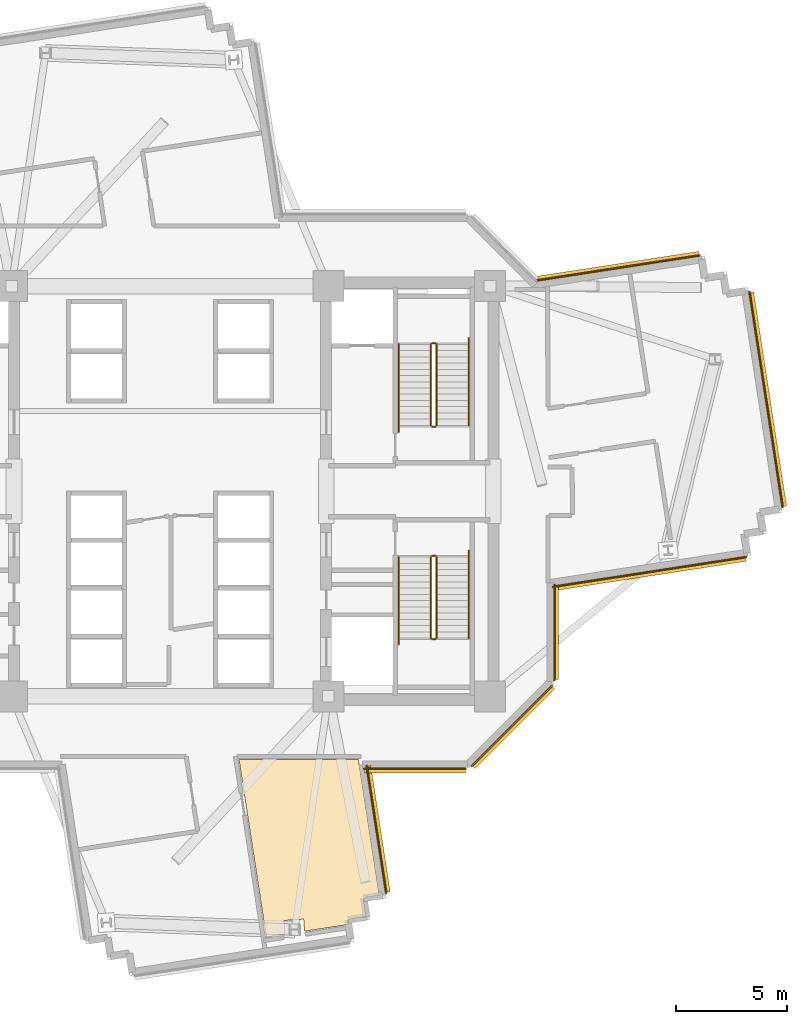
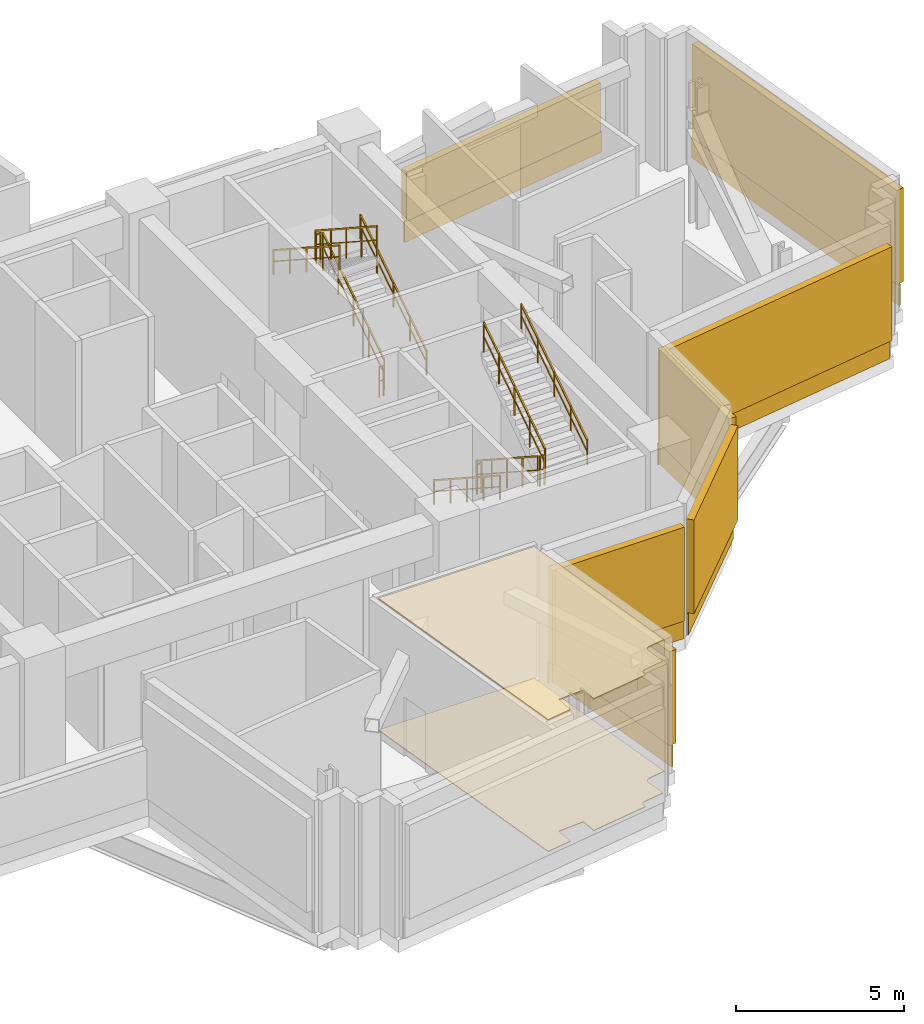
# One storey, part 9 of 10: 12 railings, 9 coverings, 7 shading devices.
"""IFC4 building model written with IfcOpenShell, lengths in metres."""

from ifc_helpers import new_model, si_unit, direction, frame, origin, origin_2d, place, context, subcontext, project, spatial, polyline, rectangle, outline, extrude, source, transform, mapped, material, layer, layer_set, type_object, element, save


model = new_model("IFC4")

# Units and contexts
model_context = context("Model", 3, precision=1e-05, world=origin(), true_north=direction((0.0, 1.0)))
body_context = subcontext(model_context, "Body", "Model", "MODEL_VIEW")
ifc_project = project(units=[si_unit("LENGTHUNIT", "METRE"), si_unit("AREAUNIT", "SQUARE_METRE"), si_unit("VOLUMEUNIT", "CUBIC_METRE"), si_unit("PLANEANGLEUNIT", "RADIAN"), si_unit("MASSUNIT", "GRAM", prefix="KILO")], contexts=[model_context])

# Site, building, storey
site_placement = place(None, origin())
site = spatial("IfcSite", under=ifc_project, at=site_placement, CompositionType="ELEMENT")
building_placement = place(site_placement, origin())
building = spatial("IfcBuilding", under=site, at=building_placement, Name="Zahravan Cultural Tower", CompositionType="ELEMENT")
storey_placement = place(building_placement, frame((0.0, 0.0, 125.699951171875)))
storey = spatial("IfcBuildingStorey", under=building, at=storey_placement, Name="L28", CompositionType="ELEMENT", Elevation=125.699951171875)

# Coverings
ifc_material_1 = material(Name="Acoustic mineral fibreboard")
ifc_layer_1 = layer(ifc_material_1, 0.0400390625)
ifc_layer_set_1 = layer_set([ifc_layer_1], Name="Acoustic mineral fibreboard")
covering_type_1 = type_object("IfcCoveringType", Name="COV-CEIL-AC20", PredefinedType="CEILING", material=ifc_layer_set_1)
covering_1_placement = place(storey_placement, frame((0.0, 0.0, 4.760009765625)))
element("IfcCovering", 1, at=covering_1_placement, inside=storey, type_object=covering_type_1, Name="L28 Acoustic Suspended Ceiling", PredefinedType="CEILING", context=body_context, shape_type="SweptSolid", body=[
    extrude(outline(polyline([(44.446044921875, 14.969970703125), (39.093994140625, 14.969970703125), (40.318603515625, 7.00390625), (41.158447265625, 7.13330078125), (41.115234375, 7.75), (41.9931640625, 7.811279296875), (42.031005859375, 7.267333984375), (43.987060546875, 7.568115234375), (43.9716796875, 7.68310546875), (44.001953125, 7.75732421875), (44.064208984375, 7.80908203125), (44.790771484375, 7.923828125), (44.68359375, 8.623779296875), (44.68798828125, 8.6708984375), (44.713623046875, 8.72607421875), (44.760009765625, 8.7685546875), (44.811767578125, 8.78759765625), (45.383056640625, 8.875244140625), (44.446044921875, 14.969970703125)])), origin(), (0.0, 0.0, 1.0), 0.0400390625),
])
ifc_material_2 = material(Name="Terrazzo flooring")
ifc_layer_2 = layer(ifc_material_2, 0.02490234375)
ifc_layer_set_2 = layer_set([ifc_layer_2], Name="Terrazzo flooring")
covering_type_2 = type_object("IfcCoveringType", Name="COV-FLR-TZ25", PredefinedType="FLOORING", material=ifc_layer_set_2)
covering_2_placement = place(storey_placement, origin())
element("IfcCovering", 2, at=covering_2_placement, inside=storey, type_object=covering_type_2, Name="L28 Polished Terrazzo Flooring", PredefinedType="FLOORING", context=body_context, shape_type="SweptSolid", body=[
    extrude(outline(polyline([(44.446044921875, 14.969970703125), (39.093994140625, 14.969970703125), (40.318603515625, 7.00390625), (41.158447265625, 7.13330078125), (41.115234375, 7.75), (41.9931640625, 7.811279296875), (42.031005859375, 7.267333984375), (43.987060546875, 7.568115234375), (43.9716796875, 7.68310546875), (44.001953125, 7.75732421875), (44.064208984375, 7.80908203125), (44.790771484375, 7.923828125), (44.68359375, 8.623779296875), (44.68798828125, 8.6708984375), (44.713623046875, 8.72607421875), (44.760009765625, 8.7685546875), (44.811767578125, 8.78759765625), (45.383056640625, 8.875244140625), (44.446044921875, 14.969970703125)])), origin(), (0.0, 0.0, 1.0), 0.025146484375),
])

# Railings
ifc_material_3 = material(Name="Steel ASTM A572 Grade 50", Category="steel")
railing_type_1 = type_object("IfcRailingType", Name="RL-STAIR-GRD1150", PredefinedType="BALUSTRADE", material=ifc_material_3)
railing_1_placement = place(storey_placement, frame((47.949951171875, 29.949951171875, 0.18212890625)))
element("IfcRailing", 3, at=railing_1_placement, inside=storey, type_object=railing_type_1, Name="L28 ST-E1 stair guard 1", PredefinedType="BALUSTRADE", context=body_context, shape_type="SweptSolid", body=[
    extrude(rectangle(XDim=0.05, YDim=0.05, at=origin_2d()), frame((0.0, 0.0, 1.0751953125), z_axis=(0.0, 0.83825089185, 0.545284735081), x_axis=(-1.0, 0.0, 0.0)), (0.0, 0.0, 1.0), 4.342529296875),
    extrude(rectangle(XDim=0.032, YDim=0.032, at=origin_2d()), frame((0.0, 0.0, 0.572021484375), z_axis=(0.0, 0.83825089185, 0.545284735081), x_axis=(-1.0, 0.0, 0.0)), (0.0, 0.0, 1.0), 4.342529296875),
    extrude(rectangle(XDim=0.04, YDim=0.04, at=origin_2d()), origin(), (0.0, 0.0, 1.0), 1.10009765625),
    extrude(rectangle(XDim=0.04, YDim=0.04, at=origin_2d()), frame((0.0, 0.91015625, 0.592041015625)), (0.0, 0.0, 1.0), 1.10009765625),
    extrude(rectangle(XDim=0.04, YDim=0.04, at=origin_2d()), frame((0.0, 1.820068359375, 1.18408203125)), (0.0, 0.0, 1.0), 1.10009765625),
    extrude(rectangle(XDim=0.04, YDim=0.04, at=origin_2d()), frame((0.0, 2.72998046875, 1.77587890625)), (0.0, 0.0, 1.0), 1.10009765625),
    extrude(rectangle(XDim=0.04, YDim=0.04, at=origin_2d()), frame((0.0, 3.64013671875, 2.367919921875)), (0.0, 0.0, 1.0), 1.10009765625),
])
railing_2_placement = place(storey_placement, frame((47.89990234375, 33.639892578125, 2.550048828125)))
element("IfcRailing", 4, at=railing_2_placement, inside=storey, type_object=railing_type_1, Name="L28 ST-E1 stair guard 2", PredefinedType="BALUSTRADE", context=body_context, shape_type="SweptSolid", body=[
    extrude(rectangle(XDim=0.05, YDim=0.05, at=origin_2d()), frame((0.0, 0.0, 1.0751953125), z_axis=(-1.0, 0.0, 0.0), x_axis=(0.0, -1.0, 0.0)), (0.0, 0.0, 1.0), 0.14990234375),
    extrude(rectangle(XDim=0.032, YDim=0.032, at=origin_2d()), frame((0.0, 0.0, 0.572021484375), z_axis=(-1.0, 0.0, 0.0), x_axis=(0.0, -1.0, 0.0)), (0.0, 0.0, 1.0), 0.14990234375),
    extrude(rectangle(XDim=0.04, YDim=0.04, at=origin_2d()), origin(), (0.0, 0.0, 1.0), 1.10009765625),
    extrude(rectangle(XDim=0.04, YDim=0.04, at=origin_2d()), frame((-0.14990234375, 0.0, 0.0)), (0.0, 0.0, 1.0), 1.10009765625),
])
railing_3_placement = place(storey_placement, frame((47.699951171875, 33.590087890625, 2.732177734375)))
element("IfcRailing", 5, at=railing_3_placement, inside=storey, type_object=railing_type_1, Name="L28 ST-E1 stair guard 3", PredefinedType="BALUSTRADE", context=body_context, shape_type="SweptSolid", body=[
    extrude(rectangle(XDim=0.05, YDim=0.05, at=origin_2d()), frame((0.0, 0.0, 1.0751953125), z_axis=(0.0, -0.83825089185, 0.545284735081), x_axis=(1.0, 0.0, 0.0)), (0.0, 0.0, 1.0), 4.342529296875),
    extrude(rectangle(XDim=0.032, YDim=0.032, at=origin_2d()), frame((0.0, 0.0, 0.572021484375), z_axis=(0.0, -0.83825089185, 0.545284735081), x_axis=(1.0, 0.0, 0.0)), (0.0, 0.0, 1.0), 4.342529296875),
    extrude(rectangle(XDim=0.04, YDim=0.04, at=origin_2d()), origin(), (0.0, 0.0, 1.0), 1.10009765625),
    extrude(rectangle(XDim=0.04, YDim=0.04, at=origin_2d()), frame((0.0, -0.91015625, 0.592041015625)), (0.0, 0.0, 1.0), 1.10009765625),
    extrude(rectangle(XDim=0.04, YDim=0.04, at=origin_2d()), frame((0.0, -1.820068359375, 1.18408203125)), (0.0, 0.0, 1.0), 1.10009765625),
    extrude(rectangle(XDim=0.04, YDim=0.04, at=origin_2d()), frame((0.0, -2.72998046875, 1.77587890625)), (0.0, 0.0, 1.0), 1.10009765625),
    extrude(rectangle(XDim=0.04, YDim=0.04, at=origin_2d()), frame((0.0, -3.64013671875, 2.367919921875)), (0.0, 0.0, 1.0), 1.10009765625),
])
railing_4_placement = place(storey_placement, frame((47.89990234375, 29.89990234375, 0.0)))
element("IfcRailing", 6, at=railing_4_placement, inside=storey, type_object=railing_type_1, Name="L28 ST-E1 stair guard 4", PredefinedType="BALUSTRADE", context=body_context, shape_type="SweptSolid", body=[
    extrude(rectangle(XDim=0.05, YDim=0.05, at=origin_2d()), frame((0.0, 0.0, 1.0751953125), z_axis=(-1.0, 0.0, 0.0), x_axis=(0.0, -1.0, 0.0)), (0.0, 0.0, 1.0), 0.14990234375),
    extrude(rectangle(XDim=0.032, YDim=0.032, at=origin_2d()), frame((0.0, 0.0, 0.572021484375), z_axis=(-1.0, 0.0, 0.0), x_axis=(0.0, -1.0, 0.0)), (0.0, 0.0, 1.0), 0.14990234375),
    extrude(rectangle(XDim=0.04, YDim=0.04, at=origin_2d()), origin(), (0.0, 0.0, 1.0), 1.10009765625),
    extrude(rectangle(XDim=0.04, YDim=0.04, at=origin_2d()), frame((-0.14990234375, 0.0, 0.0)), (0.0, 0.0, 1.0), 1.10009765625),
])
railing_5_placement = place(storey_placement, frame((47.699951171875, 24.050048828125, 0.18212890625)))
element("IfcRailing", 7, at=railing_5_placement, inside=storey, type_object=railing_type_1, Name="L28 ST-E2 stair guard 1", PredefinedType="BALUSTRADE", context=body_context, shape_type="SweptSolid", body=[
    extrude(rectangle(XDim=0.05, YDim=0.05, at=origin_2d()), frame((0.0, 0.0, 1.0751953125), z_axis=(0.0, -0.83825089185, 0.545284735081), x_axis=(1.0, 0.0, 0.0)), (0.0, 0.0, 1.0), 4.342529296875),
    extrude(rectangle(XDim=0.032, YDim=0.032, at=origin_2d()), frame((0.0, 0.0, 0.572021484375), z_axis=(0.0, -0.83825089185, 0.545284735081), x_axis=(1.0, 0.0, 0.0)), (0.0, 0.0, 1.0), 4.342529296875),
    extrude(rectangle(XDim=0.04, YDim=0.04, at=origin_2d()), origin(), (0.0, 0.0, 1.0), 1.10009765625),
    extrude(rectangle(XDim=0.04, YDim=0.04, at=origin_2d()), frame((0.0, -0.91015625, 0.592041015625)), (0.0, 0.0, 1.0), 1.10009765625),
    extrude(rectangle(XDim=0.04, YDim=0.04, at=origin_2d()), frame((0.0, -1.820068359375, 1.18408203125)), (0.0, 0.0, 1.0), 1.10009765625),
    extrude(rectangle(XDim=0.04, YDim=0.04, at=origin_2d()), frame((0.0, -2.72998046875, 1.77587890625)), (0.0, 0.0, 1.0), 1.10009765625),
    extrude(rectangle(XDim=0.04, YDim=0.04, at=origin_2d()), frame((0.0, -3.64013671875, 2.367919921875)), (0.0, 0.0, 1.0), 1.10009765625),
])
railing_6_placement = place(storey_placement, frame((47.75, 20.360107421875, 2.550048828125)))
element("IfcRailing", 8, at=railing_6_placement, inside=storey, type_object=railing_type_1, Name="L28 ST-E2 stair guard 2", PredefinedType="BALUSTRADE", context=body_context, shape_type="SweptSolid", body=[
    extrude(rectangle(XDim=0.05, YDim=0.05, at=origin_2d()), frame((0.0, 0.0, 1.0751953125), z_axis=(1.0, 0.0, 0.0), x_axis=(0.0, 1.0, 0.0)), (0.0, 0.0, 1.0), 0.14990234375),
    extrude(rectangle(XDim=0.032, YDim=0.032, at=origin_2d()), frame((0.0, 0.0, 0.572021484375), z_axis=(1.0, 0.0, 0.0), x_axis=(0.0, 1.0, 0.0)), (0.0, 0.0, 1.0), 0.14990234375),
    extrude(rectangle(XDim=0.04, YDim=0.04, at=origin_2d()), origin(), (0.0, 0.0, 1.0), 1.10009765625),
    extrude(rectangle(XDim=0.04, YDim=0.04, at=origin_2d()), frame((0.14990234375, 0.0, 0.0)), (0.0, 0.0, 1.0), 1.10009765625),
])
railing_7_placement = place(storey_placement, frame((47.949951171875, 20.409912109375, 2.732177734375)))
element("IfcRailing", 9, at=railing_7_placement, inside=storey, type_object=railing_type_1, Name="L28 ST-E2 stair guard 3", PredefinedType="BALUSTRADE", context=body_context, shape_type="SweptSolid", body=[
    extrude(rectangle(XDim=0.05, YDim=0.05, at=origin_2d()), frame((0.0, 0.0, 1.0751953125), z_axis=(0.0, 0.83825089185, 0.545284735081), x_axis=(-1.0, 0.0, 0.0)), (0.0, 0.0, 1.0), 4.342529296875),
    extrude(rectangle(XDim=0.032, YDim=0.032, at=origin_2d()), frame((0.0, 0.0, 0.572021484375), z_axis=(0.0, 0.83825089185, 0.545284735081), x_axis=(-1.0, 0.0, 0.0)), (0.0, 0.0, 1.0), 4.342529296875),
    extrude(rectangle(XDim=0.04, YDim=0.04, at=origin_2d()), origin(), (0.0, 0.0, 1.0), 1.10009765625),
    extrude(rectangle(XDim=0.04, YDim=0.04, at=origin_2d()), frame((0.0, 0.91015625, 0.592041015625)), (0.0, 0.0, 1.0), 1.10009765625),
    extrude(rectangle(XDim=0.04, YDim=0.04, at=origin_2d()), frame((0.0, 1.820068359375, 1.18408203125)), (0.0, 0.0, 1.0), 1.10009765625),
    extrude(rectangle(XDim=0.04, YDim=0.04, at=origin_2d()), frame((0.0, 2.72998046875, 1.77587890625)), (0.0, 0.0, 1.0), 1.10009765625),
    extrude(rectangle(XDim=0.04, YDim=0.04, at=origin_2d()), frame((0.0, 3.64013671875, 2.367919921875)), (0.0, 0.0, 1.0), 1.10009765625),
])
railing_8_placement = place(storey_placement, frame((47.75, 24.10009765625, 0.0)))
element("IfcRailing", 10, at=railing_8_placement, inside=storey, type_object=railing_type_1, Name="L28 ST-E2 stair guard 4", PredefinedType="BALUSTRADE", context=body_context, shape_type="SweptSolid", body=[
    extrude(rectangle(XDim=0.05, YDim=0.05, at=origin_2d()), frame((0.0, 0.0, 1.0751953125), z_axis=(1.0, 0.0, 0.0), x_axis=(0.0, 1.0, 0.0)), (0.0, 0.0, 1.0), 0.14990234375),
    extrude(rectangle(XDim=0.032, YDim=0.032, at=origin_2d()), frame((0.0, 0.0, 0.572021484375), z_axis=(1.0, 0.0, 0.0), x_axis=(0.0, 1.0, 0.0)), (0.0, 0.0, 1.0), 0.14990234375),
    extrude(rectangle(XDim=0.04, YDim=0.04, at=origin_2d()), origin(), (0.0, 0.0, 1.0), 1.10009765625),
    extrude(rectangle(XDim=0.04, YDim=0.04, at=origin_2d()), frame((0.14990234375, 0.0, 0.0)), (0.0, 0.0, 1.0), 1.10009765625),
])
railing_type_2 = type_object("IfcRailingType", Name="RL-STAIR-HR900", PredefinedType="HANDRAIL", material=ifc_material_3)
railing_9_placement = place(storey_placement, frame((49.39990234375, 29.949951171875, 0.18212890625)))
element("IfcRailing", 11, at=railing_9_placement, inside=storey, type_object=railing_type_2, Name="L28 ST-E1 stair handrail 1", PredefinedType="HANDRAIL", context=body_context, shape_type="SweptSolid", body=[
    extrude(rectangle(XDim=0.05, YDim=0.05, at=origin_2d()), frame((0.0, 0.0, 0.875), z_axis=(0.0, 0.838253921411, 0.545280077794), x_axis=(-1.0, 0.0, 0.0)), (0.0, 0.0, 1.0), 4.676513671875),
    extrude(rectangle(XDim=0.032, YDim=0.032, at=origin_2d()), frame((0.0, 0.0, 0.468017578125), z_axis=(0.0, 0.838253921411, 0.545280077794), x_axis=(-1.0, 0.0, 0.0)), (0.0, 0.0, 1.0), 4.676513671875),
    extrude(rectangle(XDim=0.04, YDim=0.04, at=origin_2d()), origin(), (0.0, 0.0, 1.0), 0.89990234375),
    extrude(rectangle(XDim=0.04, YDim=0.04, at=origin_2d()), frame((0.0, 0.97998046875, 0.637451171875)), (0.0, 0.0, 1.0), 0.89990234375),
    extrude(rectangle(XDim=0.04, YDim=0.04, at=origin_2d()), frame((0.0, 1.9599609375, 1.27490234375)), (0.0, 0.0, 1.0), 0.89990234375),
    extrude(rectangle(XDim=0.04, YDim=0.04, at=origin_2d()), frame((0.0, 2.940185546875, 1.91259765625)), (0.0, 0.0, 1.0), 0.89990234375),
    extrude(rectangle(XDim=0.04, YDim=0.04, at=origin_2d()), frame((0.0, 3.920166015625, 2.550048828125)), (0.0, 0.0, 1.0), 0.89990234375),
])
for number, where, name in (
    (12, (46.25, 33.590087890625, 2.732177734375), "L28 ST-E1 stair handrail 2"),
    (13, (46.25, 24.050048828125, 0.18212890625), "L28 ST-E2 stair handrail 1"),
):
    element("IfcRailing", number, at=place(storey_placement, frame(where)), inside=storey, type_object=railing_type_2, Name=name, PredefinedType="HANDRAIL", context=body_context, shape_type="SweptSolid", body=[
        extrude(rectangle(XDim=0.05, YDim=0.05, at=origin_2d()), frame((0.0, 0.0, 0.875), z_axis=(0.0, -0.838253921411, 0.545280077794), x_axis=(1.0, 0.0, 0.0)), (0.0, 0.0, 1.0), 4.676513671875),
        extrude(rectangle(XDim=0.032, YDim=0.032, at=origin_2d()), frame((0.0, 0.0, 0.468017578125), z_axis=(0.0, -0.838253921411, 0.545280077794), x_axis=(1.0, 0.0, 0.0)), (0.0, 0.0, 1.0), 4.676513671875),
        extrude(rectangle(XDim=0.04, YDim=0.04, at=origin_2d()), origin(), (0.0, 0.0, 1.0), 0.89990234375),
        extrude(rectangle(XDim=0.04, YDim=0.04, at=origin_2d()), frame((0.0, -0.97998046875, 0.637451171875)), (0.0, 0.0, 1.0), 0.89990234375),
        extrude(rectangle(XDim=0.04, YDim=0.04, at=origin_2d()), frame((0.0, -1.9599609375, 1.27490234375)), (0.0, 0.0, 1.0), 0.89990234375),
        extrude(rectangle(XDim=0.04, YDim=0.04, at=origin_2d()), frame((0.0, -2.940185546875, 1.91259765625)), (0.0, 0.0, 1.0), 0.89990234375),
        extrude(rectangle(XDim=0.04, YDim=0.04, at=origin_2d()), frame((0.0, -3.920166015625, 2.550048828125)), (0.0, 0.0, 1.0), 0.89990234375),
    ])
railing_10_placement = place(storey_placement, frame((49.39990234375, 20.409912109375, 2.732177734375)))
element("IfcRailing", 14, at=railing_10_placement, inside=storey, type_object=railing_type_2, Name="L28 ST-E2 stair handrail 2", PredefinedType="HANDRAIL", context=body_context, shape_type="SweptSolid", body=[
    extrude(rectangle(XDim=0.05, YDim=0.05, at=origin_2d()), frame((0.0, 0.0, 0.875), z_axis=(0.0, 0.838253921411, 0.545280077794), x_axis=(-1.0, 0.0, 0.0)), (0.0, 0.0, 1.0), 4.676513671875),
    extrude(rectangle(XDim=0.032, YDim=0.032, at=origin_2d()), frame((0.0, 0.0, 0.468017578125), z_axis=(0.0, 0.838253921411, 0.545280077794), x_axis=(-1.0, 0.0, 0.0)), (0.0, 0.0, 1.0), 4.676513671875),
    extrude(rectangle(XDim=0.04, YDim=0.04, at=origin_2d()), origin(), (0.0, 0.0, 1.0), 0.89990234375),
    extrude(rectangle(XDim=0.04, YDim=0.04, at=origin_2d()), frame((0.0, 0.97998046875, 0.637451171875)), (0.0, 0.0, 1.0), 0.89990234375),
    extrude(rectangle(XDim=0.04, YDim=0.04, at=origin_2d()), frame((0.0, 1.9599609375, 1.27490234375)), (0.0, 0.0, 1.0), 0.89990234375),
    extrude(rectangle(XDim=0.04, YDim=0.04, at=origin_2d()), frame((0.0, 2.940185546875, 1.91259765625)), (0.0, 0.0, 1.0), 0.89990234375),
    extrude(rectangle(XDim=0.04, YDim=0.04, at=origin_2d()), frame((0.0, 3.920166015625, 2.550048828125)), (0.0, 0.0, 1.0), 0.89990234375),
])

# Coverings
ifc_material_4 = material(Name="Terracotta ceramic cladding", Category="masonry")
ifc_layer_3 = layer(ifc_material_4, 0.06005859375)
ifc_layer_set_3 = layer_set([ifc_layer_3], Name="Terracotta ceramic cladding")
covering_type_3 = type_object("IfcCoveringType", Name="COV-CLAD-TC60", PredefinedType="CLADDING", material=ifc_layer_set_3)
shared_shape_1 = source(origin(), body_context, "Body", "SweptSolid", [
    extrude(rectangle(XDim=9.820068359375, YDim=0.06005859375, at=origin_2d()), origin(), (0.0, 0.0, 1.0), 0.760009765625),
])
covering_3_placement = place(storey_placement, frame((62.73095703125, 31.109619140625, 0.02001953125), z_axis=(0.0, 0.0, 1.0), x_axis=(0.151950882248, -0.988388045954, 0.0)))
element("IfcCovering", 15, at=covering_3_placement, inside=storey, type_object=covering_type_3, Name="L28 Terracotta Spandrel Cladding 06", PredefinedType="CLADDING", context=body_context, shape_type="MappedRepresentation", body=[
    mapped(shared_shape_1, transform((0.0, 0.0, 0.0), x_axis=(1.0, 0.0, 0.0), y_axis=(0.0, 1.0, 0.0), z_axis=(0.0, 0.0, 1.0), scale=1.0)),
])
shared_shape_2 = source(origin(), body_context, "Body", "SweptSolid", [
    extrude(rectangle(XDim=5.157958984375, YDim=0.06005859375, at=origin_2d()), origin(), (0.0, 0.0, 1.0), 0.760009765625),
])
covering_4_placement = place(storey_placement, frame((51.331787109375, 16.46826171875, 0.02001953125), z_axis=(0.0, 0.0, 1.0), x_axis=(-0.707106781187, -0.707106781187, 0.0)))
element("IfcCovering", 16, at=covering_4_placement, inside=storey, type_object=covering_type_3, Name="L28 Terracotta Spandrel Cladding 13", PredefinedType="CLADDING", context=body_context, shape_type="MappedRepresentation", body=[
    mapped(shared_shape_2, transform((0.0, 0.0, 0.0), x_axis=(1.0, 0.0, 0.0), y_axis=(0.0, 1.0, 0.0), z_axis=(0.0, 0.0, 1.0), scale=1.0)),
])
shared_shape_3 = source(origin(), body_context, "Body", "SweptSolid", [
    extrude(rectangle(XDim=7.493896484375, YDim=0.06005859375, at=origin_2d()), origin(), (0.0, 0.0, 1.0), 0.760009765625),
])
covering_5_placement = place(storey_placement, frame((56.074951171875, 37.01171875, 0.02001953125), z_axis=(0.0, 0.0, 1.0), x_axis=(0.98838539376, 0.151968132851, 0.0)))
element("IfcCovering", 17, at=covering_5_placement, inside=storey, type_object=covering_type_3, Name="L28 Terracotta Spandrel Cladding 01", PredefinedType="CLADDING", context=body_context, shape_type="MappedRepresentation", body=[
    mapped(shared_shape_3, transform((0.0, 0.0, 0.0), x_axis=(1.0, 0.0, 0.0), y_axis=(0.0, 1.0, 0.0), z_axis=(0.0, 0.0, 1.0), scale=1.0)),
])

# Shading devices
ifc_material_5 = material(Name="Architectural terracotta fin", Category="masonry")
shading_device_type = type_object("IfcShadingDeviceType", Name="SHD-LOUVRE-BAND", PredefinedType="JALOUSIE", material=ifc_material_5)
shared_shape_4 = source(origin(), body_context, "Body", "SweptSolid", [
    extrude(rectangle(XDim=7.393798828125, YDim=0.239990234375, at=origin_2d()), origin(), (0.0, 0.0, 1.0), 1.7919921875),
])
shading_device_1_placement = place(storey_placement, frame((56.065185546875, 37.075927734375, 0.780029296875), z_axis=(0.0, 0.0, 1.0), x_axis=(0.98838539376, 0.151968132851, 0.0)))
element("IfcShadingDevice", 18, at=shading_device_1_placement, inside=storey, type_object=shading_device_type, Name="L28 Terracotta Acoustic Louvre 01", PredefinedType="JALOUSIE", context=body_context, shape_type="MappedRepresentation", body=[
    mapped(shared_shape_4, transform((0.0, 0.0, 0.0), x_axis=(1.0, 0.0, 0.0), y_axis=(0.0, 1.0, 0.0), z_axis=(0.0, 0.0, 1.0), scale=1.0)),
])
shared_shape_5 = source(origin(), body_context, "Body", "SweptSolid", [
    extrude(rectangle(XDim=9.719970703125, YDim=0.239990234375, at=origin_2d()), origin(), (0.0, 0.0, 1.0), 3.39990234375),
])
shading_device_2_placement = place(storey_placement, frame((62.795166015625, 31.119384765625, 0.780029296875), z_axis=(0.0, 0.0, 1.0), x_axis=(0.151950882248, -0.988388045954, 0.0)))
element("IfcShadingDevice", 19, at=shading_device_2_placement, inside=storey, type_object=shading_device_type, Name="L28 Terracotta Acoustic Louvre 02", PredefinedType="JALOUSIE", context=body_context, shape_type="MappedRepresentation", body=[
    mapped(shared_shape_5, transform((0.0, 0.0, 0.0), x_axis=(1.0, 0.0, 0.0), y_axis=(0.0, 1.0, 0.0), z_axis=(0.0, 0.0, 1.0), scale=1.0)),
])

# Covering
shared_shape_6 = source(origin(), body_context, "Body", "SweptSolid", [
    extrude(rectangle(XDim=8.823486328125, YDim=0.06005859375, at=origin_2d()), origin(), (0.0, 0.0, 1.0), 0.760009765625),
])
covering_6_placement = place(storey_placement, frame((57.498046875, 23.37939453125, 0.02001953125), z_axis=(0.0, 0.0, 1.0), x_axis=(-0.988388045954, -0.151950882248, 0.0)))
element("IfcCovering", 20, at=covering_6_placement, inside=storey, type_object=covering_type_3, Name="L28 Terracotta Spandrel Cladding 11", PredefinedType="CLADDING", context=body_context, shape_type="MappedRepresentation", body=[
    mapped(shared_shape_6, transform((0.0, 0.0, 0.0), x_axis=(1.0, 0.0, 0.0), y_axis=(0.0, 1.0, 0.0), z_axis=(0.0, 0.0, 1.0), scale=1.0)),
])

# Shading device
shared_shape_7 = source(origin(), body_context, "Body", "SweptSolid", [
    extrude(rectangle(XDim=8.723388671875, YDim=0.239990234375, at=origin_2d()), origin(), (0.0, 0.0, 1.0), 3.39990234375),
])
shading_device_3_placement = place(storey_placement, frame((57.5078125, 23.315185546875, 0.780029296875), z_axis=(0.0, 0.0, 1.0), x_axis=(-0.988388045954, -0.151950882248, 0.0)))
element("IfcShadingDevice", 21, at=shading_device_3_placement, inside=storey, type_object=shading_device_type, Name="L28 Terracotta Acoustic Louvre 03", PredefinedType="JALOUSIE", context=body_context, shape_type="MappedRepresentation", body=[
    mapped(shared_shape_7, transform((0.0, 0.0, 0.0), x_axis=(1.0, 0.0, 0.0), y_axis=(0.0, 1.0, 0.0), z_axis=(0.0, 0.0, 1.0), scale=1.0)),
])

# Covering
shared_shape_8 = source(origin(), body_context, "Body", "SweptSolid", [
    extrude(rectangle(XDim=4.326416015625, YDim=0.06005859375, at=origin_2d()), origin(), (0.0, 0.0, 1.0), 0.760009765625),
])
covering_7_placement = place(storey_placement, frame((53.2451171875, 20.671142578125, 0.02001953125), z_axis=(0.0, 0.0, 1.0), x_axis=(0.0, -1.0, 0.0)))
element("IfcCovering", 22, at=covering_7_placement, inside=storey, type_object=covering_type_3, Name="L28 Terracotta Spandrel Cladding 12", PredefinedType="CLADDING", context=body_context, shape_type="MappedRepresentation", body=[
    mapped(shared_shape_8, transform((0.0, 0.0, 0.0), x_axis=(1.0, 0.0, 0.0), y_axis=(0.0, 1.0, 0.0), z_axis=(0.0, 0.0, 1.0), scale=1.0)),
])

# Shading devices
shared_shape_9 = source(origin(), body_context, "Body", "SweptSolid", [
    extrude(rectangle(XDim=4.226318359375, YDim=0.239990234375, at=origin_2d()), origin(), (0.0, 0.0, 1.0), 3.39990234375),
])
shading_device_4_placement = place(storey_placement, frame((53.31005859375, 20.671142578125, 0.780029296875), z_axis=(0.0, 0.0, 1.0), x_axis=(0.0, -1.0, 0.0)))
element("IfcShadingDevice", 23, at=shading_device_4_placement, inside=storey, type_object=shading_device_type, Name="L28 Terracotta Acoustic Louvre 04", PredefinedType="JALOUSIE", context=body_context, shape_type="MappedRepresentation", body=[
    mapped(shared_shape_9, transform((0.0, 0.0, 0.0), x_axis=(1.0, 0.0, 0.0), y_axis=(0.0, 1.0, 0.0), z_axis=(0.0, 0.0, 1.0), scale=1.0)),
])
shared_shape_10 = source(origin(), body_context, "Body", "SweptSolid", [
    extrude(rectangle(XDim=5.05810546875, YDim=0.239990234375, at=origin_2d()), origin(), (0.0, 0.0, 1.0), 3.39990234375),
])
shading_device_5_placement = place(storey_placement, frame((51.377685546875, 16.422119140625, 0.780029296875), z_axis=(0.0, 0.0, 1.0), x_axis=(-0.707106781187, -0.707106781187, 0.0)))
element("IfcShadingDevice", 24, at=shading_device_5_placement, inside=storey, type_object=shading_device_type, Name="L28 Terracotta Acoustic Louvre 05", PredefinedType="JALOUSIE", context=body_context, shape_type="MappedRepresentation", body=[
    mapped(shared_shape_10, transform((0.0, 0.0, 0.0), x_axis=(1.0, 0.0, 0.0), y_axis=(0.0, 1.0, 0.0), z_axis=(0.0, 0.0, 1.0), scale=1.0)),
])

# Covering
shared_shape_11 = source(origin(), body_context, "Body", "SweptSolid", [
    extrude(rectangle(XDim=4.618896484375, YDim=0.06005859375, at=origin_2d()), origin(), (0.0, 0.0, 1.0), 0.760009765625),
])
covering_8_placement = place(storey_placement, frame((46.982421875, 14.554931640625, 0.02001953125), z_axis=(0.0, 0.0, 1.0), x_axis=(-1.0, 0.0, 0.0)))
element("IfcCovering", 25, at=covering_8_placement, inside=storey, type_object=covering_type_3, Name="L28 Terracotta Spandrel Cladding 14", PredefinedType="CLADDING", context=body_context, shape_type="MappedRepresentation", body=[
    mapped(shared_shape_11, transform((0.0, 0.0, 0.0), x_axis=(1.0, 0.0, 0.0), y_axis=(0.0, 1.0, 0.0), z_axis=(0.0, 0.0, 1.0), scale=1.0)),
])

# Shading device
shared_shape_12 = source(origin(), body_context, "Body", "SweptSolid", [
    extrude(rectangle(XDim=4.51904296875, YDim=0.239990234375, at=origin_2d()), origin(), (0.0, 0.0, 1.0), 3.39990234375),
])
shading_device_6_placement = place(storey_placement, frame((46.982421875, 14.489990234375, 0.780029296875), z_axis=(0.0, 0.0, 1.0), x_axis=(-1.0, 0.0, 0.0)))
element("IfcShadingDevice", 26, at=shading_device_6_placement, inside=storey, type_object=shading_device_type, Name="L28 Terracotta Acoustic Louvre 06", PredefinedType="JALOUSIE", context=body_context, shape_type="MappedRepresentation", body=[
    mapped(shared_shape_12, transform((0.0, 0.0, 0.0), x_axis=(1.0, 0.0, 0.0), y_axis=(0.0, 1.0, 0.0), z_axis=(0.0, 0.0, 1.0), scale=1.0)),
])

# Covering
shared_shape_13 = source(origin(), body_context, "Body", "SweptSolid", [
    extrude(rectangle(XDim=5.83203125, YDim=0.06005859375, at=origin_2d()), origin(), (0.0, 0.0, 1.0), 0.760009765625),
])
covering_9_placement = place(storey_placement, frame((45.256591796875, 11.83642578125, 0.02001953125), z_axis=(0.0, 0.0, 1.0), x_axis=(0.151968132851, -0.98838539376, 0.0)))
element("IfcCovering", 27, at=covering_9_placement, inside=storey, type_object=covering_type_3, Name="L28 Terracotta Spandrel Cladding 15", PredefinedType="CLADDING", context=body_context, shape_type="MappedRepresentation", body=[
    mapped(shared_shape_13, transform((0.0, 0.0, 0.0), x_axis=(1.0, 0.0, 0.0), y_axis=(0.0, 1.0, 0.0), z_axis=(0.0, 0.0, 1.0), scale=1.0)),
])

# Shading device
shared_shape_14 = source(origin(), body_context, "Body", "SweptSolid", [
    extrude(rectangle(XDim=5.732177734375, YDim=0.239990234375, at=origin_2d()), origin(), (0.0, 0.0, 1.0), 3.39990234375),
])
shading_device_7_placement = place(storey_placement, frame((45.32080078125, 11.846435546875, 0.780029296875), z_axis=(0.0, 0.0, 1.0), x_axis=(0.151968132851, -0.98838539376, 0.0)))
element("IfcShadingDevice", 28, at=shading_device_7_placement, inside=storey, type_object=shading_device_type, Name="L28 Terracotta Acoustic Louvre 07", PredefinedType="JALOUSIE", context=body_context, shape_type="MappedRepresentation", body=[
    mapped(shared_shape_14, transform((0.0, 0.0, 0.0), x_axis=(1.0, 0.0, 0.0), y_axis=(0.0, 1.0, 0.0), z_axis=(0.0, 0.0, 1.0), scale=1.0)),
])

save(model, "model.ifc")
